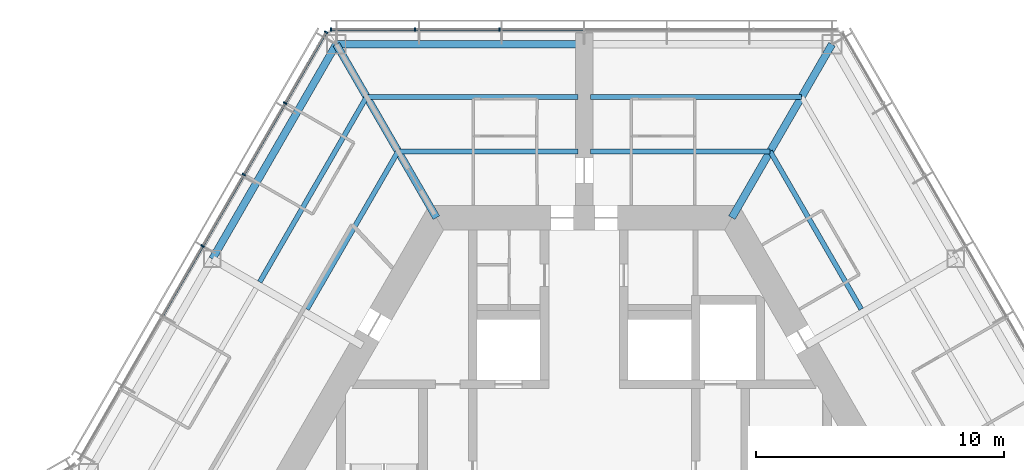
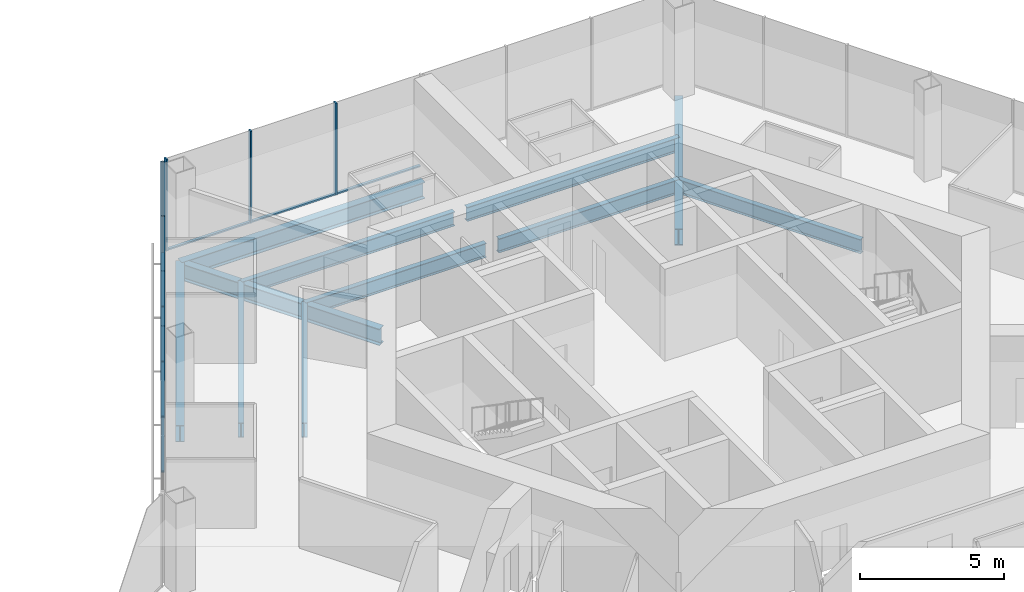
# One storey, part 7 of 18: 14 members, 11 beams, 2 elements without a shape of their own.
"""IFC4 building model written with IfcOpenShell, lengths in metres."""

from ifc_helpers import new_model, si_unit, direction, frame, origin, origin_2d, place, context, subcontext, project, spatial, rectangle, i_section, extrude, material, material_profile, profile_set, type_object, element, aggregate, save


model = new_model("IFC4")

# Units and contexts
model_context = context("Model", 3, precision=1e-05, world=origin(), true_north=direction((0.0, 1.0)))
body_context = subcontext(model_context, "Body", "Model", "MODEL_VIEW")
ifc_project = project(units=[si_unit("LENGTHUNIT", "METRE"), si_unit("AREAUNIT", "SQUARE_METRE"), si_unit("VOLUMEUNIT", "CUBIC_METRE"), si_unit("PLANEANGLEUNIT", "RADIAN"), si_unit("MASSUNIT", "GRAM", prefix="KILO")], contexts=[model_context])

# Site, building, storey
site_placement = place(None, origin())
site = spatial("IfcSite", under=ifc_project, at=site_placement, CompositionType="ELEMENT")
building_placement = place(site_placement, origin())
building = spatial("IfcBuilding", under=site, at=building_placement, Name="Kasaneha Research Tower", CompositionType="ELEMENT")
storey_placement = place(building_placement, frame((0.0, 0.0, 187.699951171875)))
storey = spatial("IfcBuildingStorey", under=building, at=storey_placement, Name="L47", CompositionType="ELEMENT", Elevation=187.699951171875)

# Beams
ifc_material_1 = material(Name="Steel SN490B", Category="steel")
ifc_material_profile_1 = material_profile(ifc_material_1, i_section(OverallWidth=0.199951171875, OverallDepth=0.60009765625, WebThickness=0.010986328125, FlangeThickness=0.01708984375, FilletRadius=0.012939453125, at=origin_2d()), Name="H-600x200x11x17")
ifc_profile_set_1 = profile_set([ifc_material_profile_1], Name="Steel SN490B")
beam_type_1 = type_object("IfcBeamType", Name="B1-3 secondary beam H-600x200x11x17", PredefinedType="JOIST", material=ifc_profile_set_1)
beam_1_placement = place(storey_placement, frame((7.505615234375, 13.0, -0.449951171875), z_axis=(0.499994443168, -0.866028611999, 0.0), x_axis=(0.866028611999, 0.499994443168, 0.0)))
element("IfcBeam", 1, at=beam_1_placement, inside=storey, type_object=beam_type_1, Name="Secondary beam RS030R1 L47", PredefinedType="JOIST", context=body_context, shape_type="SweptSolid", body=[
    extrude(i_section(OverallWidth=0.199951171875, OverallDepth=0.60009765625, WebThickness=0.010986328125, FlangeThickness=0.01708984375, FilletRadius=0.012939453125, at=origin_2d()), origin(), (0.0, 0.0, 1.0), 7.35546875),
])
beam_2_placement = place(storey_placement, frame((7.505615234375, 13.0, -0.449951171875), z_axis=(-1.0, 0.0, 0.0), x_axis=(0.0, -1.0, 0.0)))
element("IfcBeam", 2, at=beam_2_placement, inside=storey, type_object=beam_type_1, Name="Secondary beam RS090L1 L47", PredefinedType="JOIST", context=body_context, shape_type="SweptSolid", body=[
    extrude(i_section(OverallWidth=0.199951171875, OverallDepth=0.60009765625, WebThickness=0.010986328125, FlangeThickness=0.01708984375, FilletRadius=0.012939453125, at=origin_2d()), origin(), (0.0, 0.0, 1.0), 7.255615234375),
])
beam_3_placement = place(storey_placement, frame((8.775634765625, 15.199951171875, -0.449951171875), z_axis=(-1.0, 0.0, 0.0), x_axis=(0.0, -1.0, 0.0)))
element("IfcBeam", 3, at=beam_3_placement, inside=storey, type_object=beam_type_1, Name="Secondary beam RS090L2 L47", PredefinedType="JOIST", context=body_context, shape_type="SweptSolid", body=[
    extrude(i_section(OverallWidth=0.199951171875, OverallDepth=0.60009765625, WebThickness=0.010986328125, FlangeThickness=0.01708984375, FilletRadius=0.012939453125, at=origin_2d()), origin(), (0.0, 0.0, 1.0), 8.525634765625),
])
beam_4_placement = place(storey_placement, frame((-7.505615234375, 13.0, -0.449951171875), z_axis=(1.0, 0.0, 0.0), x_axis=(0.0, 1.0, 0.0)))
element("IfcBeam", 4, at=beam_4_placement, inside=storey, type_object=beam_type_1, Name="Secondary beam RS090R1 L47", PredefinedType="JOIST", context=body_context, shape_type="SweptSolid", body=[
    extrude(i_section(OverallWidth=0.199951171875, OverallDepth=0.60009765625, WebThickness=0.010986328125, FlangeThickness=0.01708984375, FilletRadius=0.012939453125, at=origin_2d()), origin(), (0.0, 0.0, 1.0), 7.255615234375),
])
beam_5_placement = place(storey_placement, frame((-8.775634765625, 15.199951171875, -0.449951171875), z_axis=(1.0, 0.0, 0.0), x_axis=(0.0, 1.0, 0.0)))
element("IfcBeam", 5, at=beam_5_placement, inside=storey, type_object=beam_type_1, Name="Secondary beam RS090R2 L47", PredefinedType="JOIST", context=body_context, shape_type="SweptSolid", body=[
    extrude(i_section(OverallWidth=0.199951171875, OverallDepth=0.60009765625, WebThickness=0.010986328125, FlangeThickness=0.01708984375, FilletRadius=0.012939453125, at=origin_2d()), origin(), (0.0, 0.0, 1.0), 8.525634765625),
])
beam_6_placement = place(storey_placement, frame((-7.505615234375, 13.0, -0.449951171875), z_axis=(-0.499994443168, -0.866028611999, 0.0), x_axis=(0.866028611999, -0.499994443168, 0.0)))
element("IfcBeam", 6, at=beam_6_placement, inside=storey, type_object=beam_type_1, Name="Secondary beam RS150L1 L47", PredefinedType="JOIST", context=body_context, shape_type="SweptSolid", body=[
    extrude(i_section(OverallWidth=0.199951171875, OverallDepth=0.60009765625, WebThickness=0.010986328125, FlangeThickness=0.01708984375, FilletRadius=0.012939453125, at=origin_2d()), origin(), (0.0, 0.0, 1.0), 7.35546875),
])
beam_7_placement = place(storey_placement, frame((-8.775634765625, 15.199951171875, -0.449951171875), z_axis=(-0.500017275495, -0.866015429543, 0.0), x_axis=(0.866015429543, -0.500017275495, 0.0)))
element("IfcBeam", 7, at=beam_7_placement, inside=storey, type_object=beam_type_1, Name="Secondary beam RS150L2 L47", PredefinedType="JOIST", context=body_context, shape_type="SweptSolid", body=[
    extrude(i_section(OverallWidth=0.199951171875, OverallDepth=0.60009765625, WebThickness=0.010986328125, FlangeThickness=0.01708984375, FilletRadius=0.012939453125, at=origin_2d()), origin(), (0.0, 0.0, 1.0), 8.625732421875),
])

# Curtain wall, members
ifc_material_2 = material(Name="Glass and aluminium", Category="aluminium")
curtain_wall_type = type_object("IfcCurtainWallType", Name="Mid-rise office curtain wall", PredefinedType="USERDEFINED", material=ifc_material_2)
curtain_wall_1_placement = place(storey_placement, origin())
curtain_wall_1 = element("IfcCurtainWall", 8, at=curtain_wall_1_placement, inside=storey, type_object=curtain_wall_type, Name="CW-O2 L47 run 07a", ObjectType="UNITISED CURTAIN WALL", PredefinedType="USERDEFINED")
ifc_material_3 = material(Name="Aluminium 6063-T6", Category="aluminium")
ifc_material_profile_2 = material_profile(ifc_material_3, rectangle(XDim=0.06005859375, YDim=0.14990234375, at=origin_2d()), Name="CW-O2 mullion 60x150")
ifc_profile_set_2 = profile_set([ifc_material_profile_2], Name="Aluminium 6063-T6")
member_type_1 = type_object("IfcMemberType", Name="CW-O2 mullion", PredefinedType="MULLION", material=ifc_profile_set_2)
member_1_placement = place(storey_placement, frame((-3.41552734375, 17.92041015625, 0.0), z_axis=(0.0, 0.0, 1.0), x_axis=(-1.0, 0.0, 0.0)))
member_1 = element("IfcMember", 9, at=member_1_placement, type_object=member_type_1, Name="CW-O2 mullion 5", PredefinedType="MULLION", context=body_context, shape_type="SweptSolid", body=[
    extrude(rectangle(XDim=0.06005859375, YDim=0.14990234375, at=origin_2d()), origin(), (0.0, 0.0, 1.0), 3.900146484375),
])
member_2_placement = place(storey_placement, frame((-6.8310546875, 17.92041015625, 0.0), z_axis=(0.0, 0.0, 1.0), x_axis=(-1.0, 0.0, 0.0)))
member_2 = element("IfcMember", 10, at=member_2_placement, type_object=member_type_1, Name="CW-O2 mullion 6", PredefinedType="MULLION", context=body_context, shape_type="SweptSolid", body=[
    extrude(rectangle(XDim=0.06005859375, YDim=0.14990234375, at=origin_2d()), origin(), (0.0, 0.0, 1.0), 3.900146484375),
])
member_3_placement = place(storey_placement, frame((-10.21630859375, 17.92041015625, 0.0), z_axis=(0.0, 0.0, 1.0), x_axis=(-1.0, 0.0, 0.0)))
member_3 = element("IfcMember", 11, at=member_3_placement, type_object=member_type_1, Name="CW-O2 mullion 7", PredefinedType="MULLION", context=body_context, shape_type="SweptSolid", body=[
    extrude(rectangle(XDim=0.06005859375, YDim=0.14990234375, at=origin_2d()), origin(), (0.0, 0.0, 1.0), 3.900146484375),
])

curtain_wall_2_placement = place(storey_placement, origin())
curtain_wall_2 = element("IfcCurtainWall", 12, at=curtain_wall_2_placement, inside=storey, type_object=curtain_wall_type, Name="CW-O2 L47 run 08a", ObjectType="UNITISED CURTAIN WALL", PredefinedType="USERDEFINED")
member_4_placement = place(storey_placement, frame((-10.411376953125, 17.807861328125, 0.0), z_axis=(0.0, 0.0, 1.0), x_axis=(-0.499999979232, -0.866025415775, 0.0)))
member_4 = element("IfcMember", 13, at=member_4_placement, type_object=member_type_1, Name="CW-O2 mullion 1", PredefinedType="MULLION", context=body_context, shape_type="SweptSolid", body=[
    extrude(rectangle(XDim=0.06005859375, YDim=0.14990234375, at=origin_2d()), origin(), (0.0, 0.0, 1.0), 3.900146484375),
])
member_5_placement = place(storey_placement, frame((-12.061767578125, 14.94921875, 0.0), z_axis=(0.0, 0.0, 1.0), x_axis=(-0.499999979232, -0.866025415775, 0.0)))
member_5 = element("IfcMember", 14, at=member_5_placement, type_object=member_type_1, Name="CW-O2 mullion 2", PredefinedType="MULLION", context=body_context, shape_type="SweptSolid", body=[
    extrude(rectangle(XDim=0.06005859375, YDim=0.14990234375, at=origin_2d()), origin(), (0.0, 0.0, 1.0), 3.900146484375),
])
member_6_placement = place(storey_placement, frame((-13.727294921875, 12.064453125, 0.0), z_axis=(0.0, 0.0, 1.0), x_axis=(-0.499999979232, -0.866025415775, 0.0)))
member_6 = element("IfcMember", 15, at=member_6_placement, type_object=member_type_1, Name="CW-O2 mullion 3", PredefinedType="MULLION", context=body_context, shape_type="SweptSolid", body=[
    extrude(rectangle(XDim=0.06005859375, YDim=0.14990234375, at=origin_2d()), origin(), (0.0, 0.0, 1.0), 3.900146484375),
])
member_7_placement = place(storey_placement, frame((-15.392822265625, 9.179931640625, 0.0), z_axis=(0.0, 0.0, 1.0), x_axis=(-0.499999979232, -0.866025415775, 0.0)))
member_7 = element("IfcMember", 16, at=member_7_placement, type_object=member_type_1, Name="CW-O2 mullion 4", PredefinedType="MULLION", context=body_context, shape_type="SweptSolid", body=[
    extrude(rectangle(XDim=0.06005859375, YDim=0.14990234375, at=origin_2d()), origin(), (0.0, 0.0, 1.0), 3.900146484375),
])

# Member
ifc_material_4 = material(Name="Aluminium 6063-T6", Category="aluminium")
ifc_material_profile_3 = material_profile(ifc_material_4, rectangle(XDim=0.110107421875, YDim=0.06005859375, at=origin_2d()), Name="CW-O2 transom 110x60")
ifc_profile_set_3 = profile_set([ifc_material_profile_3], Name="Aluminium 6063-T6")
member_type_2 = type_object("IfcMemberType", Name="CW-O2 transom", PredefinedType="USERDEFINED", material=ifc_profile_set_3)
member_8_placement = place(storey_placement, frame((-0.030029296875, 17.92041015625, 0.030029296875), z_axis=(-1.0, 0.0, 0.0), x_axis=(0.0, -1.0, 0.0)))
member_8 = element("IfcMember", 17, at=member_8_placement, type_object=member_type_2, Name="CW-O2 transom 4", ObjectType="TRANSOM", PredefinedType="USERDEFINED", context=body_context, shape_type="SweptSolid", body=[
    extrude(rectangle(XDim=0.110107421875, YDim=0.06005859375, at=origin_2d()), origin(), (0.0, 0.0, 1.0), 3.35546875),
])

member_9_placement = place(storey_placement, frame((-3.445556640625, 17.92041015625, 0.030029296875), z_axis=(-1.0, 0.0, 0.0), x_axis=(0.0, -1.0, 0.0)))
member_9 = element("IfcMember", 18, at=member_9_placement, type_object=member_type_2, Name="CW-O2 transom 5", ObjectType="TRANSOM", PredefinedType="USERDEFINED", context=body_context, shape_type="SweptSolid", body=[
    extrude(rectangle(XDim=0.110107421875, YDim=0.06005859375, at=origin_2d()), origin(), (0.0, 0.0, 1.0), 3.35546875),
])

member_10_placement = place(storey_placement, frame((-6.86083984375, 17.92041015625, 0.030029296875), z_axis=(-1.0, 0.0, 0.0), x_axis=(0.0, -1.0, 0.0)))
member_10 = element("IfcMember", 19, at=member_10_placement, type_object=member_type_2, Name="CW-O2 transom 6", ObjectType="TRANSOM", PredefinedType="USERDEFINED", context=body_context, shape_type="SweptSolid", body=[
    extrude(rectangle(XDim=0.110107421875, YDim=0.06005859375, at=origin_2d()), origin(), (0.0, 0.0, 1.0), 3.32568359375),
])

aggregate(curtain_wall_1, [member_1, member_2, member_3, member_8, member_9, member_10])

member_11_placement = place(storey_placement, frame((-10.426513671875, 17.781982421875, 0.030029296875), z_axis=(-0.499955025697, -0.866051368154, 0.0), x_axis=(0.866051368154, -0.499955025697, 0.0)))
member_11 = element("IfcMember", 20, at=member_11_placement, type_object=member_type_2, Name="CW-O2 transom 1", ObjectType="TRANSOM", PredefinedType="USERDEFINED", context=body_context, shape_type="SweptSolid", body=[
    extrude(rectangle(XDim=0.110107421875, YDim=0.06005859375, at=origin_2d()), origin(), (0.0, 0.0, 1.0), 3.240966796875),
])

member_12_placement = place(storey_placement, frame((-12.076904296875, 14.92333984375, 0.030029296875), z_axis=(-0.500000270186, -0.866025247793, 0.0), x_axis=(0.866025247793, -0.500000270186, 0.0)))
member_12 = element("IfcMember", 21, at=member_12_placement, type_object=member_type_2, Name="CW-O2 transom 2", ObjectType="TRANSOM", PredefinedType="USERDEFINED", context=body_context, shape_type="SweptSolid", body=[
    extrude(rectangle(XDim=0.110107421875, YDim=0.06005859375, at=origin_2d()), origin(), (0.0, 0.0, 1.0), 3.27099609375),
])

member_13_placement = place(storey_placement, frame((-13.742431640625, 12.03857421875, 0.030029296875), z_axis=(-0.500000270186, -0.866025247793, 0.0), x_axis=(0.866025247793, -0.500000270186, 0.0)))
member_13 = element("IfcMember", 22, at=member_13_placement, type_object=member_type_2, Name="CW-O2 transom 3", ObjectType="TRANSOM", PredefinedType="USERDEFINED", context=body_context, shape_type="SweptSolid", body=[
    extrude(rectangle(XDim=0.110107421875, YDim=0.06005859375, at=origin_2d()), origin(), (0.0, 0.0, 1.0), 3.27099609375),
])

member_14_placement = place(storey_placement, frame((-15.40771484375, 9.15380859375, 0.030029296875), z_axis=(-0.50003259116, -0.866006586452, 0.0), x_axis=(0.866006586452, -0.50003259116, 0.0)))
member_14 = element("IfcMember", 23, at=member_14_placement, type_object=member_type_2, Name="CW-O2 transom 4", ObjectType="TRANSOM", PredefinedType="USERDEFINED", context=body_context, shape_type="SweptSolid", body=[
    extrude(rectangle(XDim=0.110107421875, YDim=0.06005859375, at=origin_2d()), origin(), (0.0, 0.0, 1.0), 3.270751953125),
])

aggregate(curtain_wall_2, [member_4, member_5, member_6, member_7, member_11, member_12, member_13, member_14])

# Beams
ifc_material_5 = material(Name="Steel SN490B", Category="steel")
ifc_material_profile_4 = material_profile(ifc_material_5, i_section(OverallWidth=0.300048828125, OverallDepth=0.699951171875, WebThickness=0.012939453125, FlangeThickness=0.02392578125, FilletRadius=0.01806640625, at=origin_2d()), Name="H-700x300x13x24")
ifc_profile_set_4 = profile_set([ifc_material_profile_4], Name="Steel SN490B")
beam_type_2 = type_object("IfcBeamType", Name="G1-3 radial girder H-700x300x13x24", PredefinedType="BEAM", material=ifc_profile_set_4)
for number, where, z_axis, x_axis, name in (
    (24, (5.961181640625, 10.324951171875, -0.5), (0.49999105496, 0.866030568144, 0.0), (-0.866030568144, 0.49999105496, 0.0), "Radial girder RV060 L47"),
    (25, (-5.961181640625, 10.324951171875, -0.5), (-0.49999105496, 0.866030568144, 0.0), (-0.866030568144, -0.49999105496, 0.0), "Radial girder RV120 L47"),
):
    element("IfcBeam", number, at=place(storey_placement, frame(where, z_axis=z_axis, x_axis=x_axis)), inside=storey, type_object=beam_type_2, Name=name, PredefinedType="BEAM", context=body_context, shape_type="SweptSolid", body=[
        extrude(i_section(OverallWidth=0.300048828125, OverallDepth=0.699951171875, WebThickness=0.012939453125, FlangeThickness=0.02392578125, FilletRadius=0.01806640625, at=origin_2d()), origin(), (0.0, 0.0, 1.0), 8.077880859375),
    ])
ifc_material_6 = material(Name="Steel SN490B", Category="steel")
ifc_material_profile_5 = material_profile(ifc_material_6, i_section(OverallWidth=0.300048828125, OverallDepth=0.69189453125, WebThickness=0.012939453125, FlangeThickness=0.02001953125, FilletRadius=0.01806640625, at=origin_2d()), Name="H-692x300x13x20")
ifc_profile_set_5 = profile_set([ifc_material_profile_5], Name="Steel SN490B")
beam_type_3 = type_object("IfcBeamType", Name="G3-3 plate edge girder H-692x300x13x20", PredefinedType="BEAM", material=ifc_profile_set_5)
beam_8_placement = place(storey_placement, frame((-10.0, 17.320556640625, -0.495849609375), z_axis=(1.0, 0.0, 0.0), x_axis=(0.0, 1.0, 0.0)))
element("IfcBeam", 26, at=beam_8_placement, inside=storey, type_object=beam_type_3, Name="Plate edge girder PEAN L47", PredefinedType="BEAM", context=body_context, shape_type="SweptSolid", body=[
    extrude(i_section(OverallWidth=0.300048828125, OverallDepth=0.69189453125, WebThickness=0.012939453125, FlangeThickness=0.02001953125, FilletRadius=0.01806640625, at=origin_2d()), origin(), (0.0, 0.0, 1.0), 9.75),
])
ifc_material_7 = material(Name="Steel SN490B", Category="steel")
ifc_material_profile_6 = material_profile(ifc_material_7, i_section(OverallWidth=0.300048828125, OverallDepth=0.69189453125, WebThickness=0.012939453125, FlangeThickness=0.02001953125, FilletRadius=0.01806640625, at=origin_2d()), Name="H-692x300x13x20")
ifc_profile_set_6 = profile_set([ifc_material_profile_6], Name="Steel SN490B")
beam_type_4 = type_object("IfcBeamType", Name="SB1-3 spandrel beam H-692x300x13x20", PredefinedType="SPANDREL", material=ifc_profile_set_6)
beam_9_placement = place(storey_placement, frame((-10.0, 17.320556640625, -0.495849609375), z_axis=(-0.499993662806, -0.866029062534, 0.0), x_axis=(0.866029062534, -0.499993662806, 0.0)))
element("IfcBeam", 27, at=beam_9_placement, inside=storey, type_object=beam_type_4, Name="Spandrel beam SR150L L47", PredefinedType="SPANDREL", context=body_context, shape_type="SweptSolid", body=[
    extrude(i_section(OverallWidth=0.300048828125, OverallDepth=0.69189453125, WebThickness=0.012939453125, FlangeThickness=0.02001953125, FilletRadius=0.01806640625, at=origin_2d()), origin(), (0.0, 0.0, 1.0), 10.000244140625),
])

save(model, "model.ifc")
